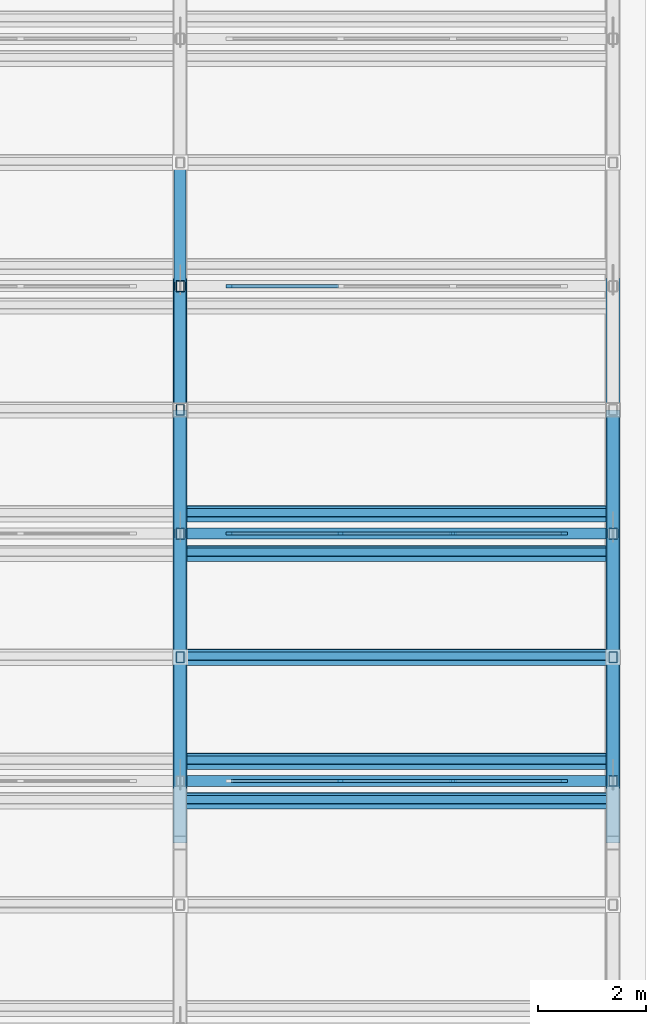
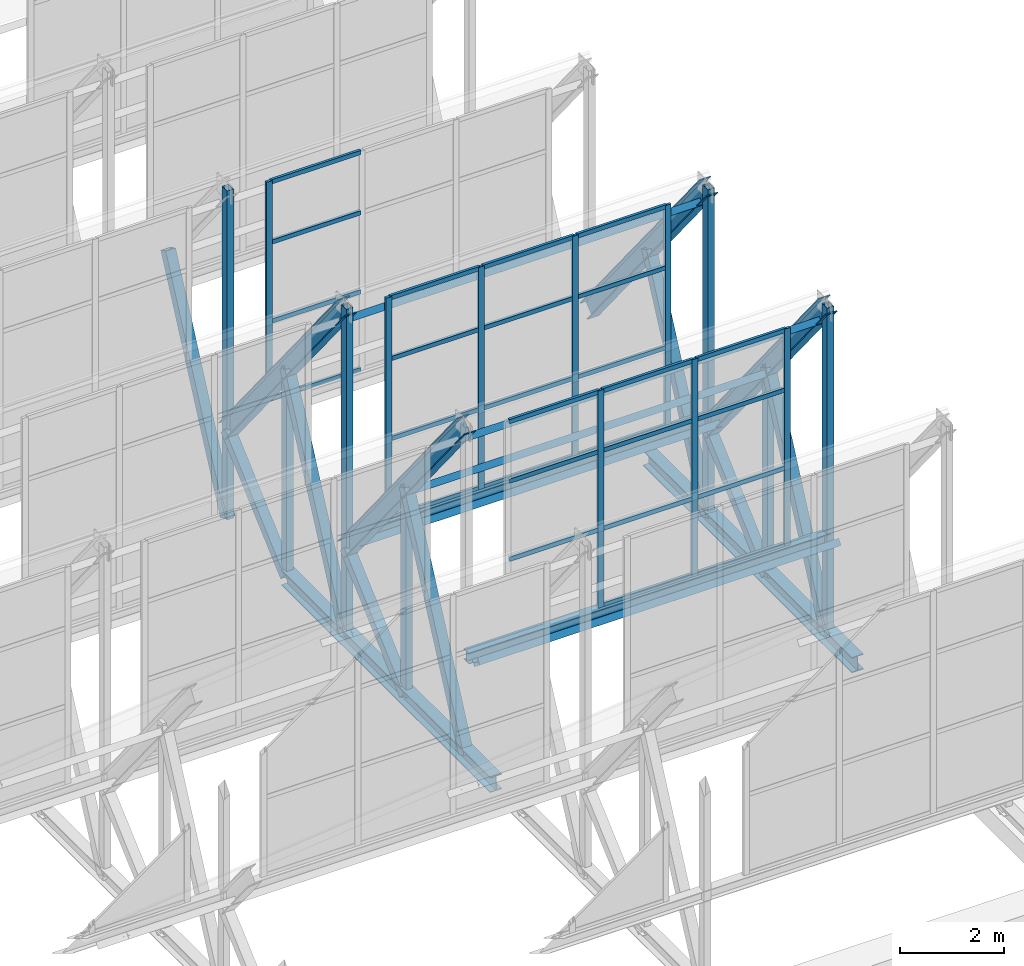
# One storey, part 20 of 34: 59 members, 4 beams, 3 elements without a shape of their own.
"""IFC4 building model written with IfcOpenShell, lengths in metres."""

from ifc_helpers import new_model, si_unit, direction, frame, origin, origin_2d, place, context, subcontext, project, spatial, rectangle, hollow_rectangle, i_section, extrude, material, layer, layer_set, material_profile, profile_set, type_object, element, aggregate, save


model = new_model("IFC4")

# Units and contexts
model_context = context("Model", 3, precision=1e-05, world=origin(), true_north=direction((0.0, 1.0)))
body_context = subcontext(model_context, "Body", "Model", "MODEL_VIEW")
ifc_project = project(units=[si_unit("LENGTHUNIT", "METRE"), si_unit("AREAUNIT", "SQUARE_METRE"), si_unit("VOLUMEUNIT", "CUBIC_METRE"), si_unit("PLANEANGLEUNIT", "RADIAN"), si_unit("MASSUNIT", "GRAM", prefix="KILO")], contexts=[model_context])

# Site, building, storey
site_placement = place(None, origin())
site = spatial("IfcSite", under=ifc_project, at=site_placement, CompositionType="ELEMENT")
building_placement = place(site_placement, origin())
building = spatial("IfcBuilding", under=site, at=building_placement, Name="Qorikala Patio Media Centre", CompositionType="ELEMENT")
storey_placement = place(building_placement, frame((0.0, 0.0, 32.699951171875)))
storey = spatial("IfcBuildingStorey", under=building, at=storey_placement, Name="RF", CompositionType="ELEMENT", Elevation=32.699951171875)

# Members
ifc_material_1 = material(Name="Steel S355", Category="steel")
ifc_material_profile_1 = material_profile(ifc_material_1, hollow_rectangle(XDim=0.219970703125, YDim=0.219970703125, WallThickness=0.010009765625, at=origin_2d()), Name="HSS220X220X10")
ifc_profile_set_1 = profile_set([ifc_material_profile_1], Name="Steel S355")
member_type_1 = type_object("IfcMemberType", Name="BRACE-HSS220", PredefinedType="BRACE", material=ifc_profile_set_1)
member_1_placement = place(storey_placement, frame((35.0, 12.142822265625, 0.35009765625), z_axis=(0.0, 0.424545396895, 0.90540665227), x_axis=(-1.0, 0.0, 0.0)))
element("IfcMember", 1, at=member_1_placement, inside=storey, type_object=member_type_1, Name="SAW-V1 Truss 5 Bay 3 Web Diagonal 1", PredefinedType="BRACE", context=body_context, shape_type="SweptSolid", body=[
    extrude(hollow_rectangle(XDim=0.219970703125, YDim=0.219970703125, WallThickness=0.010009765625, at=origin_2d()), origin(), (0.0, 0.0, 1.0), 5.38427734375),
])
member_2_placement = place(storey_placement, frame((35.0, 14.4287109375, 0.35009765625), z_axis=(0.0, 0.744431778243, 0.667698530432), x_axis=(-1.0, 0.0, 0.0)))
element("IfcMember", 2, at=member_2_placement, inside=storey, type_object=member_type_1, Name="SAW-V1 Truss 5 Bay 3 Web Diagonal 2", PredefinedType="BRACE", context=body_context, shape_type="SweptSolid", body=[
    extrude(hollow_rectangle(XDim=0.219970703125, YDim=0.219970703125, WallThickness=0.010009765625, at=origin_2d()), origin(), (0.0, 0.0, 1.0), 3.0703125),
])
member_3_placement = place(storey_placement, frame((35.0, 16.71435546875, 0.35009765625), z_axis=(0.0, 0.424508225487, 0.905424081022), x_axis=(-1.0, 0.0, 0.0)))
element("IfcMember", 3, at=member_3_placement, inside=storey, type_object=member_type_1, Name="SAW-V1 Truss 5 Bay 4 Web Diagonal 1", PredefinedType="BRACE", context=body_context, shape_type="SweptSolid", body=[
    extrude(hollow_rectangle(XDim=0.219970703125, YDim=0.219970703125, WallThickness=0.010009765625, at=origin_2d()), origin(), (0.0, 0.0, 1.0), 5.38427734375),
])
member_4_placement = place(storey_placement, frame((35.0, 19.0, 0.35009765625), z_axis=(0.0, 0.744431778243, 0.667698530432), x_axis=(-1.0, 0.0, 0.0)))
element("IfcMember", 4, at=member_4_placement, inside=storey, type_object=member_type_1, Name="SAW-V1 Truss 5 Bay 4 Web Diagonal 2", PredefinedType="BRACE", context=body_context, shape_type="SweptSolid", body=[
    extrude(hollow_rectangle(XDim=0.219970703125, YDim=0.219970703125, WallThickness=0.010009765625, at=origin_2d()), origin(), (0.0, 0.0, 1.0), 3.0703125),
])
for number, where, z_axis, x_axis, name in (
    (5, (35.0, 21.28564453125, 0.35009765625), (0.0, 0.424508225487, 0.905424081022), (-1.0, 0.0, 0.0), "SAW-V1 Truss 5 Bay 5 Web Diagonal 1"),
    (6, (43.0, 12.142822265625, 0.35009765625), (0.0, 0.424545396895, 0.90540665227), (-1.0, 0.0, 0.0), "SAW-V1 Truss 6 Bay 3 Web Diagonal 1"),
):
    element("IfcMember", number, at=place(storey_placement, frame(where, z_axis=z_axis, x_axis=x_axis)), inside=storey, type_object=member_type_1, Name=name, PredefinedType="BRACE", context=body_context, shape_type="SweptSolid", body=[
        extrude(hollow_rectangle(XDim=0.219970703125, YDim=0.219970703125, WallThickness=0.010009765625, at=origin_2d()), origin(), (0.0, 0.0, 1.0), 5.38427734375),
    ])
member_5_placement = place(storey_placement, frame((43.0, 14.4287109375, 0.35009765625), z_axis=(0.0, 0.744431778243, 0.667698530432), x_axis=(-1.0, 0.0, 0.0)))
element("IfcMember", 7, at=member_5_placement, inside=storey, type_object=member_type_1, Name="SAW-V1 Truss 6 Bay 3 Web Diagonal 2", PredefinedType="BRACE", context=body_context, shape_type="SweptSolid", body=[
    extrude(hollow_rectangle(XDim=0.219970703125, YDim=0.219970703125, WallThickness=0.010009765625, at=origin_2d()), origin(), (0.0, 0.0, 1.0), 3.0703125),
])
member_6_placement = place(storey_placement, frame((43.0, 16.71435546875, 0.35009765625), z_axis=(0.0, 0.424508225487, 0.905424081022), x_axis=(-1.0, 0.0, 0.0)))
element("IfcMember", 8, at=member_6_placement, inside=storey, type_object=member_type_1, Name="SAW-V1 Truss 6 Bay 4 Web Diagonal 1", PredefinedType="BRACE", context=body_context, shape_type="SweptSolid", body=[
    extrude(hollow_rectangle(XDim=0.219970703125, YDim=0.219970703125, WallThickness=0.010009765625, at=origin_2d()), origin(), (0.0, 0.0, 1.0), 5.38427734375),
])
ifc_material_profile_2 = material_profile(ifc_material_1, i_section(OverallWidth=0.257080078125, OverallDepth=0.363037109375, WebThickness=0.012939453125, FlangeThickness=0.021728515625, at=origin_2d()), Name="W360X122")
ifc_profile_set_2 = profile_set([ifc_material_profile_2], Name="Steel S355")
member_type_2 = type_object("IfcMemberType", Name="CHORD-W360X122", PredefinedType="CHORD", material=ifc_profile_set_2)
member_7_placement = place(storey_placement, frame((35.0, 12.142822265625, 8.050048828125), z_axis=(0.0, 0.629015570493, -0.777392701327), x_axis=(-1.0, 0.0, 0.0)))
element("IfcMember", 9, at=member_7_placement, inside=storey, type_object=member_type_2, Name="SAW-V1 Truss 5 Bay 3 Sloped Top Chord", PredefinedType="CHORD", context=body_context, shape_type="SweptSolid", body=[
    extrude(i_section(OverallWidth=0.257080078125, OverallDepth=0.363037109375, WebThickness=0.012939453125, FlangeThickness=0.021728515625, at=origin_2d()), origin(), (0.0, 0.0, 1.0), 7.267822265625),
])
member_8_placement = place(storey_placement, frame((35.0, 16.71435546875, 8.050048828125), z_axis=(0.0, 0.628995268707, -0.777409127773), x_axis=(-1.0, 0.0, 0.0)))
element("IfcMember", 10, at=member_8_placement, inside=storey, type_object=member_type_2, Name="SAW-V1 Truss 5 Bay 4 Sloped Top Chord", PredefinedType="CHORD", context=body_context, shape_type="SweptSolid", body=[
    extrude(i_section(OverallWidth=0.257080078125, OverallDepth=0.363037109375, WebThickness=0.012939453125, FlangeThickness=0.021728515625, at=origin_2d()), origin(), (0.0, 0.0, 1.0), 7.267578125),
])
member_9_placement = place(storey_placement, frame((43.0, 12.142822265625, 8.050048828125), z_axis=(0.0, 0.629015570493, -0.777392701327), x_axis=(-1.0, 0.0, 0.0)))
element("IfcMember", 11, at=member_9_placement, inside=storey, type_object=member_type_2, Name="SAW-V1 Truss 6 Bay 3 Sloped Top Chord", PredefinedType="CHORD", context=body_context, shape_type="SweptSolid", body=[
    extrude(i_section(OverallWidth=0.257080078125, OverallDepth=0.363037109375, WebThickness=0.012939453125, FlangeThickness=0.021728515625, at=origin_2d()), origin(), (0.0, 0.0, 1.0), 7.267822265625),
])
member_10_placement = place(storey_placement, frame((43.0, 16.71435546875, 8.050048828125), z_axis=(0.0, 0.628995268707, -0.777409127773), x_axis=(-1.0, 0.0, 0.0)))
element("IfcMember", 12, at=member_10_placement, inside=storey, type_object=member_type_2, Name="SAW-V1 Truss 6 Bay 4 Sloped Top Chord", PredefinedType="CHORD", context=body_context, shape_type="SweptSolid", body=[
    extrude(i_section(OverallWidth=0.257080078125, OverallDepth=0.363037109375, WebThickness=0.012939453125, FlangeThickness=0.021728515625, at=origin_2d()), origin(), (0.0, 0.0, 1.0), 7.267578125),
])

# Curtain wall, members
ifc_material_2 = material(Name="Bronze Anodised Aluminium and Low-E Glass", Category="aluminium")
ifc_layer_1 = layer(ifc_material_2, 0.159912109375)
ifc_layer_set_1 = layer_set([ifc_layer_1], Name="Bronze Anodised Aluminium and Low-E Glass")
curtain_wall_type_1 = type_object("IfcCurtainWallType", Name="CW-SAW-624X508", PredefinedType="USERDEFINED", material=ifc_layer_set_1)
curtain_wall_1_placement = place(storey_placement, origin())
curtain_wall_1 = element("IfcCurtainWall", 13, at=curtain_wall_1_placement, inside=storey, type_object=curtain_wall_type_1, Name="RF Sawtooth Glazing 121", ObjectType="SAWTOOTH GLAZING", PredefinedType="USERDEFINED")
ifc_material_3 = material(Name="Bronze Anodised Aluminium", Category="aluminium")
ifc_material_profile_3 = material_profile(ifc_material_3, rectangle(XDim=0.06005859375, YDim=0.1298828125, at=origin_2d()), Name="ALU MULLION 60x130")
ifc_profile_set_3 = profile_set([ifc_material_profile_3], Name="Bronze Anodised Aluminium")
member_type_3 = type_object("IfcMemberType", Name="CWM-60X130", PredefinedType="MULLION", material=ifc_profile_set_3)
member_11_placement = place(storey_placement, frame((37.9599609375, 12.142822265625, 2.75), z_axis=(0.0, 0.0, 1.0), x_axis=(0.0, 1.0, 0.0)))
member_11 = element("IfcMember", 14, at=member_11_placement, type_object=member_type_3, Name="CWS624508 mullion 2", PredefinedType="MULLION", context=body_context, shape_type="SweptSolid", body=[
    extrude(rectangle(XDim=0.06005859375, YDim=0.1298828125, at=origin_2d()), origin(), (0.0, 0.0, 1.0), 5.080078125),
])
member_12_placement = place(storey_placement, frame((40.0400390625, 12.142822265625, 2.75), z_axis=(0.0, 0.0, 1.0), x_axis=(0.0, 1.0, 0.0)))
member_12 = element("IfcMember", 15, at=member_12_placement, type_object=member_type_3, Name="CWS624508 mullion 3", PredefinedType="MULLION", context=body_context, shape_type="SweptSolid", body=[
    extrude(rectangle(XDim=0.06005859375, YDim=0.1298828125, at=origin_2d()), origin(), (0.0, 0.0, 1.0), 5.080078125),
])
member_13_placement = place(storey_placement, frame((42.090087890625, 12.142822265625, 2.75), z_axis=(0.0, 0.0, 1.0), x_axis=(0.0, 1.0, 0.0)))
member_13 = element("IfcMember", 16, at=member_13_placement, type_object=member_type_3, Name="CWS624508 mullion 4", PredefinedType="MULLION", context=body_context, shape_type="SweptSolid", body=[
    extrude(rectangle(XDim=0.06005859375, YDim=0.1298828125, at=origin_2d()), origin(), (0.0, 0.0, 1.0), 5.080078125),
])

ifc_layer_2 = layer(ifc_material_2, 0.159912109375)
ifc_layer_set_2 = layer_set([ifc_layer_2], Name="Bronze Anodised Aluminium and Low-E Glass")
curtain_wall_type_2 = type_object("IfcCurtainWallType", Name="CW-SAW-624X520", PredefinedType="USERDEFINED", material=ifc_layer_set_2)
curtain_wall_2_placement = place(storey_placement, origin())
curtain_wall_2 = element("IfcCurtainWall", 17, at=curtain_wall_2_placement, inside=storey, type_object=curtain_wall_type_2, Name="RF Sawtooth Glazing 126", ObjectType="SAWTOOTH GLAZING", PredefinedType="USERDEFINED")
member_14_placement = place(storey_placement, frame((35.909912109375, 16.71435546875, 2.75), z_axis=(0.0, 0.0, 1.0), x_axis=(0.0, 1.0, 0.0)))
member_14 = element("IfcMember", 18, at=member_14_placement, type_object=member_type_3, Name="CWS624520 mullion 1", PredefinedType="MULLION", context=body_context, shape_type="SweptSolid", body=[
    extrude(rectangle(XDim=0.06005859375, YDim=0.1298828125, at=origin_2d()), origin(), (0.0, 0.0, 1.0), 5.199951171875),
])
member_15_placement = place(storey_placement, frame((37.9599609375, 16.71435546875, 2.75), z_axis=(0.0, 0.0, 1.0), x_axis=(0.0, 1.0, 0.0)))
member_15 = element("IfcMember", 19, at=member_15_placement, type_object=member_type_3, Name="CWS624520 mullion 2", PredefinedType="MULLION", context=body_context, shape_type="SweptSolid", body=[
    extrude(rectangle(XDim=0.06005859375, YDim=0.1298828125, at=origin_2d()), origin(), (0.0, 0.0, 1.0), 5.199951171875),
])
member_16_placement = place(storey_placement, frame((40.0400390625, 16.71435546875, 2.75), z_axis=(0.0, 0.0, 1.0), x_axis=(0.0, 1.0, 0.0)))
member_16 = element("IfcMember", 20, at=member_16_placement, type_object=member_type_3, Name="CWS624520 mullion 3", PredefinedType="MULLION", context=body_context, shape_type="SweptSolid", body=[
    extrude(rectangle(XDim=0.06005859375, YDim=0.1298828125, at=origin_2d()), origin(), (0.0, 0.0, 1.0), 5.199951171875),
])
member_17_placement = place(storey_placement, frame((42.090087890625, 16.71435546875, 2.75), z_axis=(0.0, 0.0, 1.0), x_axis=(0.0, 1.0, 0.0)))
member_17 = element("IfcMember", 21, at=member_17_placement, type_object=member_type_3, Name="CWS624520 mullion 4", PredefinedType="MULLION", context=body_context, shape_type="SweptSolid", body=[
    extrude(rectangle(XDim=0.06005859375, YDim=0.1298828125, at=origin_2d()), origin(), (0.0, 0.0, 1.0), 5.199951171875),
])

# Curtain wall, member
ifc_layer_3 = layer(ifc_material_2, 0.159912109375)
ifc_layer_set_3 = layer_set([ifc_layer_3], Name="Bronze Anodised Aluminium and Low-E Glass")
curtain_wall_type_3 = type_object("IfcCurtainWallType", Name="CW-SAW-624X514", PredefinedType="USERDEFINED", material=ifc_layer_set_3)
curtain_wall_3_placement = place(storey_placement, origin())
curtain_wall_3 = element("IfcCurtainWall", 22, at=curtain_wall_3_placement, inside=storey, type_object=curtain_wall_type_3, Name="RF Sawtooth Glazing 131", ObjectType="SAWTOOTH GLAZING", PredefinedType="USERDEFINED")
member_18_placement = place(storey_placement, frame((35.909912109375, 21.28564453125, 2.75), z_axis=(0.0, 0.0, 1.0), x_axis=(0.0, 1.0, 0.0)))
member_18 = element("IfcMember", 23, at=member_18_placement, type_object=member_type_3, Name="CWS624514 mullion 1", PredefinedType="MULLION", context=body_context, shape_type="SweptSolid", body=[
    extrude(rectangle(XDim=0.06005859375, YDim=0.1298828125, at=origin_2d()), origin(), (0.0, 0.0, 1.0), 5.14013671875),
])

# Member
ifc_material_profile_4 = material_profile(ifc_material_3, rectangle(XDim=0.06005859375, YDim=0.10009765625, at=origin_2d()), Name="ALU TRANSOM 60x100")
ifc_profile_set_4 = profile_set([ifc_material_profile_4], Name="Bronze Anodised Aluminium")
member_type_4 = type_object("IfcMemberType", Name="CWT-60X100", PredefinedType="USERDEFINED", material=ifc_profile_set_4)
member_19_placement = place(storey_placement, frame((35.93994140625, 12.142822265625, 4.578857421875), z_axis=(1.0, 0.0, 0.0), x_axis=(0.0, 1.0, 0.0)))
member_19 = element("IfcMember", 24, at=member_19_placement, type_object=member_type_4, Name="CWS624508 transom 1.2", ObjectType="TRANSOM", PredefinedType="USERDEFINED", context=body_context, shape_type="SweptSolid", body=[
    extrude(rectangle(XDim=0.06005859375, YDim=0.10009765625, at=origin_2d()), origin(), (0.0, 0.0, 1.0), 1.989990234375),
])

member_20_placement = place(storey_placement, frame((35.93994140625, 12.142822265625, 6.40771484375), z_axis=(1.0, 0.0, 0.0), x_axis=(0.0, 1.0, 0.0)))
member_20 = element("IfcMember", 25, at=member_20_placement, type_object=member_type_4, Name="CWS624508 transom 1.3", ObjectType="TRANSOM", PredefinedType="USERDEFINED", context=body_context, shape_type="SweptSolid", body=[
    extrude(rectangle(XDim=0.06005859375, YDim=0.10009765625, at=origin_2d()), origin(), (0.0, 0.0, 1.0), 1.989990234375),
])

member_21_placement = place(storey_placement, frame((35.93994140625, 12.142822265625, 7.800048828125), z_axis=(1.0, 0.0, 0.0), x_axis=(0.0, 1.0, 0.0)))
member_21 = element("IfcMember", 26, at=member_21_placement, type_object=member_type_4, Name="CWS624508 transom 1.4", ObjectType="TRANSOM", PredefinedType="USERDEFINED", context=body_context, shape_type="SweptSolid", body=[
    extrude(rectangle(XDim=0.06005859375, YDim=0.10009765625, at=origin_2d()), origin(), (0.0, 0.0, 1.0), 1.989990234375),
])

member_22_placement = place(storey_placement, frame((37.989990234375, 12.142822265625, 2.780029296875), z_axis=(1.0, 0.0, 0.0), x_axis=(0.0, 1.0, 0.0)))
member_22 = element("IfcMember", 27, at=member_22_placement, type_object=member_type_4, Name="CWS624508 transom 2.1", ObjectType="TRANSOM", PredefinedType="USERDEFINED", context=body_context, shape_type="SweptSolid", body=[
    extrude(rectangle(XDim=0.06005859375, YDim=0.10009765625, at=origin_2d()), origin(), (0.0, 0.0, 1.0), 2.02001953125),
])

member_23_placement = place(storey_placement, frame((37.989990234375, 12.142822265625, 4.578857421875), z_axis=(1.0, 0.0, 0.0), x_axis=(0.0, 1.0, 0.0)))
member_23 = element("IfcMember", 28, at=member_23_placement, type_object=member_type_4, Name="CWS624508 transom 2.2", ObjectType="TRANSOM", PredefinedType="USERDEFINED", context=body_context, shape_type="SweptSolid", body=[
    extrude(rectangle(XDim=0.06005859375, YDim=0.10009765625, at=origin_2d()), origin(), (0.0, 0.0, 1.0), 2.02001953125),
])

member_24_placement = place(storey_placement, frame((37.989990234375, 12.142822265625, 6.40771484375), z_axis=(1.0, 0.0, 0.0), x_axis=(0.0, 1.0, 0.0)))
member_24 = element("IfcMember", 29, at=member_24_placement, type_object=member_type_4, Name="CWS624508 transom 2.3", ObjectType="TRANSOM", PredefinedType="USERDEFINED", context=body_context, shape_type="SweptSolid", body=[
    extrude(rectangle(XDim=0.06005859375, YDim=0.10009765625, at=origin_2d()), origin(), (0.0, 0.0, 1.0), 2.02001953125),
])

member_25_placement = place(storey_placement, frame((37.989990234375, 12.142822265625, 7.800048828125), z_axis=(1.0, 0.0, 0.0), x_axis=(0.0, 1.0, 0.0)))
member_25 = element("IfcMember", 30, at=member_25_placement, type_object=member_type_4, Name="CWS624508 transom 2.4", ObjectType="TRANSOM", PredefinedType="USERDEFINED", context=body_context, shape_type="SweptSolid", body=[
    extrude(rectangle(XDim=0.06005859375, YDim=0.10009765625, at=origin_2d()), origin(), (0.0, 0.0, 1.0), 2.02001953125),
])

member_26_placement = place(storey_placement, frame((40.070068359375, 12.142822265625, 2.780029296875), z_axis=(1.0, 0.0, 0.0), x_axis=(0.0, 1.0, 0.0)))
member_26 = element("IfcMember", 31, at=member_26_placement, type_object=member_type_4, Name="CWS624508 transom 3.1", ObjectType="TRANSOM", PredefinedType="USERDEFINED", context=body_context, shape_type="SweptSolid", body=[
    extrude(rectangle(XDim=0.06005859375, YDim=0.10009765625, at=origin_2d()), origin(), (0.0, 0.0, 1.0), 1.989990234375),
])

member_27_placement = place(storey_placement, frame((40.070068359375, 12.142822265625, 4.578857421875), z_axis=(1.0, 0.0, 0.0), x_axis=(0.0, 1.0, 0.0)))
member_27 = element("IfcMember", 32, at=member_27_placement, type_object=member_type_4, Name="CWS624508 transom 3.2", ObjectType="TRANSOM", PredefinedType="USERDEFINED", context=body_context, shape_type="SweptSolid", body=[
    extrude(rectangle(XDim=0.06005859375, YDim=0.10009765625, at=origin_2d()), origin(), (0.0, 0.0, 1.0), 1.989990234375),
])

member_28_placement = place(storey_placement, frame((40.070068359375, 12.142822265625, 6.40771484375), z_axis=(1.0, 0.0, 0.0), x_axis=(0.0, 1.0, 0.0)))
member_28 = element("IfcMember", 33, at=member_28_placement, type_object=member_type_4, Name="CWS624508 transom 3.3", ObjectType="TRANSOM", PredefinedType="USERDEFINED", context=body_context, shape_type="SweptSolid", body=[
    extrude(rectangle(XDim=0.06005859375, YDim=0.10009765625, at=origin_2d()), origin(), (0.0, 0.0, 1.0), 1.989990234375),
])

member_29_placement = place(storey_placement, frame((40.070068359375, 12.142822265625, 7.800048828125), z_axis=(1.0, 0.0, 0.0), x_axis=(0.0, 1.0, 0.0)))
member_29 = element("IfcMember", 34, at=member_29_placement, type_object=member_type_4, Name="CWS624508 transom 3.4", ObjectType="TRANSOM", PredefinedType="USERDEFINED", context=body_context, shape_type="SweptSolid", body=[
    extrude(rectangle(XDim=0.06005859375, YDim=0.10009765625, at=origin_2d()), origin(), (0.0, 0.0, 1.0), 1.989990234375),
])

aggregate(curtain_wall_1, [member_11, member_12, member_13, member_19, member_20, member_21, member_22, member_23, member_24, member_25, member_26, member_27, member_28, member_29])

member_30_placement = place(storey_placement, frame((35.93994140625, 16.71435546875, 2.780029296875), z_axis=(1.0, 0.0, 0.0), x_axis=(0.0, 1.0, 0.0)))
member_30 = element("IfcMember", 35, at=member_30_placement, type_object=member_type_4, Name="CWS624520 transom 1.1", ObjectType="TRANSOM", PredefinedType="USERDEFINED", context=body_context, shape_type="SweptSolid", body=[
    extrude(rectangle(XDim=0.06005859375, YDim=0.10009765625, at=origin_2d()), origin(), (0.0, 0.0, 1.0), 1.989990234375),
])

member_31_placement = place(storey_placement, frame((35.93994140625, 16.71435546875, 4.6220703125), z_axis=(1.0, 0.0, 0.0), x_axis=(0.0, 1.0, 0.0)))
member_31 = element("IfcMember", 36, at=member_31_placement, type_object=member_type_4, Name="CWS624520 transom 1.2", ObjectType="TRANSOM", PredefinedType="USERDEFINED", context=body_context, shape_type="SweptSolid", body=[
    extrude(rectangle(XDim=0.06005859375, YDim=0.10009765625, at=origin_2d()), origin(), (0.0, 0.0, 1.0), 1.989990234375),
])

member_32_placement = place(storey_placement, frame((35.93994140625, 16.71435546875, 6.494140625), z_axis=(1.0, 0.0, 0.0), x_axis=(0.0, 1.0, 0.0)))
member_32 = element("IfcMember", 37, at=member_32_placement, type_object=member_type_4, Name="CWS624520 transom 1.3", ObjectType="TRANSOM", PredefinedType="USERDEFINED", context=body_context, shape_type="SweptSolid", body=[
    extrude(rectangle(XDim=0.06005859375, YDim=0.10009765625, at=origin_2d()), origin(), (0.0, 0.0, 1.0), 1.989990234375),
])

member_33_placement = place(storey_placement, frame((35.93994140625, 16.71435546875, 7.920166015625), z_axis=(1.0, 0.0, 0.0), x_axis=(0.0, 1.0, 0.0)))
member_33 = element("IfcMember", 38, at=member_33_placement, type_object=member_type_4, Name="CWS624520 transom 1.4", ObjectType="TRANSOM", PredefinedType="USERDEFINED", context=body_context, shape_type="SweptSolid", body=[
    extrude(rectangle(XDim=0.06005859375, YDim=0.10009765625, at=origin_2d()), origin(), (0.0, 0.0, 1.0), 1.989990234375),
])

member_34_placement = place(storey_placement, frame((37.989990234375, 16.71435546875, 2.780029296875), z_axis=(1.0, 0.0, 0.0), x_axis=(0.0, 1.0, 0.0)))
member_34 = element("IfcMember", 39, at=member_34_placement, type_object=member_type_4, Name="CWS624520 transom 2.1", ObjectType="TRANSOM", PredefinedType="USERDEFINED", context=body_context, shape_type="SweptSolid", body=[
    extrude(rectangle(XDim=0.06005859375, YDim=0.10009765625, at=origin_2d()), origin(), (0.0, 0.0, 1.0), 2.02001953125),
])

member_35_placement = place(storey_placement, frame((37.989990234375, 16.71435546875, 4.6220703125), z_axis=(1.0, 0.0, 0.0), x_axis=(0.0, 1.0, 0.0)))
member_35 = element("IfcMember", 40, at=member_35_placement, type_object=member_type_4, Name="CWS624520 transom 2.2", ObjectType="TRANSOM", PredefinedType="USERDEFINED", context=body_context, shape_type="SweptSolid", body=[
    extrude(rectangle(XDim=0.06005859375, YDim=0.10009765625, at=origin_2d()), origin(), (0.0, 0.0, 1.0), 2.02001953125),
])

member_36_placement = place(storey_placement, frame((37.989990234375, 16.71435546875, 6.494140625), z_axis=(1.0, 0.0, 0.0), x_axis=(0.0, 1.0, 0.0)))
member_36 = element("IfcMember", 41, at=member_36_placement, type_object=member_type_4, Name="CWS624520 transom 2.3", ObjectType="TRANSOM", PredefinedType="USERDEFINED", context=body_context, shape_type="SweptSolid", body=[
    extrude(rectangle(XDim=0.06005859375, YDim=0.10009765625, at=origin_2d()), origin(), (0.0, 0.0, 1.0), 2.02001953125),
])

member_37_placement = place(storey_placement, frame((37.989990234375, 16.71435546875, 7.920166015625), z_axis=(1.0, 0.0, 0.0), x_axis=(0.0, 1.0, 0.0)))
member_37 = element("IfcMember", 42, at=member_37_placement, type_object=member_type_4, Name="CWS624520 transom 2.4", ObjectType="TRANSOM", PredefinedType="USERDEFINED", context=body_context, shape_type="SweptSolid", body=[
    extrude(rectangle(XDim=0.06005859375, YDim=0.10009765625, at=origin_2d()), origin(), (0.0, 0.0, 1.0), 2.02001953125),
])

member_38_placement = place(storey_placement, frame((40.070068359375, 16.71435546875, 2.780029296875), z_axis=(1.0, 0.0, 0.0), x_axis=(0.0, 1.0, 0.0)))
member_38 = element("IfcMember", 43, at=member_38_placement, type_object=member_type_4, Name="CWS624520 transom 3.1", ObjectType="TRANSOM", PredefinedType="USERDEFINED", context=body_context, shape_type="SweptSolid", body=[
    extrude(rectangle(XDim=0.06005859375, YDim=0.10009765625, at=origin_2d()), origin(), (0.0, 0.0, 1.0), 1.989990234375),
])

member_39_placement = place(storey_placement, frame((40.070068359375, 16.71435546875, 4.6220703125), z_axis=(1.0, 0.0, 0.0), x_axis=(0.0, 1.0, 0.0)))
member_39 = element("IfcMember", 44, at=member_39_placement, type_object=member_type_4, Name="CWS624520 transom 3.2", ObjectType="TRANSOM", PredefinedType="USERDEFINED", context=body_context, shape_type="SweptSolid", body=[
    extrude(rectangle(XDim=0.06005859375, YDim=0.10009765625, at=origin_2d()), origin(), (0.0, 0.0, 1.0), 1.989990234375),
])

member_40_placement = place(storey_placement, frame((40.070068359375, 16.71435546875, 6.494140625), z_axis=(1.0, 0.0, 0.0), x_axis=(0.0, 1.0, 0.0)))
member_40 = element("IfcMember", 45, at=member_40_placement, type_object=member_type_4, Name="CWS624520 transom 3.3", ObjectType="TRANSOM", PredefinedType="USERDEFINED", context=body_context, shape_type="SweptSolid", body=[
    extrude(rectangle(XDim=0.06005859375, YDim=0.10009765625, at=origin_2d()), origin(), (0.0, 0.0, 1.0), 1.989990234375),
])

member_41_placement = place(storey_placement, frame((40.070068359375, 16.71435546875, 7.920166015625), z_axis=(1.0, 0.0, 0.0), x_axis=(0.0, 1.0, 0.0)))
member_41 = element("IfcMember", 46, at=member_41_placement, type_object=member_type_4, Name="CWS624520 transom 3.4", ObjectType="TRANSOM", PredefinedType="USERDEFINED", context=body_context, shape_type="SweptSolid", body=[
    extrude(rectangle(XDim=0.06005859375, YDim=0.10009765625, at=origin_2d()), origin(), (0.0, 0.0, 1.0), 1.989990234375),
])

aggregate(curtain_wall_2, [member_14, member_15, member_16, member_17, member_30, member_31, member_32, member_33, member_34, member_35, member_36, member_37, member_38, member_39, member_40, member_41])

member_42_placement = place(storey_placement, frame((35.93994140625, 21.28564453125, 2.780029296875), z_axis=(1.0, 0.0, 0.0), x_axis=(0.0, 1.0, 0.0)))
member_42 = element("IfcMember", 47, at=member_42_placement, type_object=member_type_4, Name="CWS624514 transom 1.1", ObjectType="TRANSOM", PredefinedType="USERDEFINED", context=body_context, shape_type="SweptSolid", body=[
    extrude(rectangle(XDim=0.06005859375, YDim=0.10009765625, at=origin_2d()), origin(), (0.0, 0.0, 1.0), 1.989990234375),
])

member_43_placement = place(storey_placement, frame((35.93994140625, 21.28564453125, 4.600341796875), z_axis=(1.0, 0.0, 0.0), x_axis=(0.0, 1.0, 0.0)))
member_43 = element("IfcMember", 48, at=member_43_placement, type_object=member_type_4, Name="CWS624514 transom 1.2", ObjectType="TRANSOM", PredefinedType="USERDEFINED", context=body_context, shape_type="SweptSolid", body=[
    extrude(rectangle(XDim=0.06005859375, YDim=0.10009765625, at=origin_2d()), origin(), (0.0, 0.0, 1.0), 1.989990234375),
])

member_44_placement = place(storey_placement, frame((35.93994140625, 21.28564453125, 6.450927734375), z_axis=(1.0, 0.0, 0.0), x_axis=(0.0, 1.0, 0.0)))
member_44 = element("IfcMember", 49, at=member_44_placement, type_object=member_type_4, Name="CWS624514 transom 1.3", ObjectType="TRANSOM", PredefinedType="USERDEFINED", context=body_context, shape_type="SweptSolid", body=[
    extrude(rectangle(XDim=0.06005859375, YDim=0.10009765625, at=origin_2d()), origin(), (0.0, 0.0, 1.0), 1.989990234375),
])

member_45_placement = place(storey_placement, frame((35.93994140625, 21.28564453125, 7.860107421875), z_axis=(1.0, 0.0, 0.0), x_axis=(0.0, 1.0, 0.0)))
member_45 = element("IfcMember", 50, at=member_45_placement, type_object=member_type_4, Name="CWS624514 transom 1.4", ObjectType="TRANSOM", PredefinedType="USERDEFINED", context=body_context, shape_type="SweptSolid", body=[
    extrude(rectangle(XDim=0.06005859375, YDim=0.10009765625, at=origin_2d()), origin(), (0.0, 0.0, 1.0), 1.989990234375),
])

aggregate(curtain_wall_3, [member_18, member_42, member_43, member_44, member_45])

# Members
ifc_material_profile_5 = material_profile(ifc_material_1, i_section(OverallWidth=0.14794921875, OverallDepth=0.26611328125, WebThickness=0.007568359375, FlangeThickness=0.012939453125, at=origin_2d()), Name="W250X45")
ifc_profile_set_5 = profile_set([ifc_material_profile_5], Name="Steel S355")
member_type_5 = type_object("IfcMemberType", Name="PURLIN-W250X45", PredefinedType="PURLIN", material=ifc_profile_set_5)
for number, where, z_axis, x_axis, name in (
    (51, (35.0, 11.777099609375, 2.704345703125), (1.0, 0.0, 0.0), (0.0, 0.62899480571, 0.777409502379), "SAW-V1 Bay 2 Roof Purlin"),
    (52, (35.0, 12.508544921875, 7.450439453125), (1.0, 0.0, 0.0), (0.0, 0.62899480571, 0.777409502379), "SAW-V1 Bay 3 Roof Purlin"),
    (53, (35.0, 14.4287109375, 5.077392578125), (1.0, 0.0, 0.0), (0.0, 0.62899480571, 0.777409502379), "SAW-V1 Bay 3 Roof Purlin"),
    (54, (35.0, 16.3486328125, 2.704345703125), (1.0, 0.0, 0.0), (0.0, 0.62899480571, 0.777409502379), "SAW-V1 Bay 3 Roof Purlin"),
    (55, (35.0, 17.080078125, 7.450439453125), (1.0, 0.0, 0.0), (0.0, 0.62899480571, 0.777409502379), "SAW-V1 Bay 4 Roof Purlin"),
):
    element("IfcMember", number, at=place(storey_placement, frame(where, z_axis=z_axis, x_axis=x_axis)), inside=storey, type_object=member_type_5, Name=name, PredefinedType="PURLIN", context=body_context, shape_type="SweptSolid", body=[
        extrude(i_section(OverallWidth=0.14794921875, OverallDepth=0.26611328125, WebThickness=0.007568359375, FlangeThickness=0.012939453125, at=origin_2d()), origin(), (0.0, 0.0, 1.0), 8.0),
    ])

# Beams
ifc_material_profile_6 = material_profile(ifc_material_1, i_section(OverallWidth=0.202880859375, OverallDepth=0.251953125, WebThickness=0.008056640625, FlangeThickness=0.013427734375, at=origin_2d()), Name="W250X58")
ifc_profile_set_6 = profile_set([ifc_material_profile_6], Name="Steel S355")
beam_type_1 = type_object("IfcBeamType", Name="SBM-W250X58", PredefinedType="BEAM", material=ifc_profile_set_6)
for number, where, z_axis, x_axis, name in (
    (56, (35.0, 12.142822265625, 2.625), (1.0, 0.0, 0.0), (0.0, 1.0, 0.0), "Sawtooth V1 Clerestory Sill Beam 3.5"),
    (57, (35.0, 16.71435546875, 2.625), (1.0, 0.0, 0.0), (0.0, 1.0, 0.0), "Sawtooth V1 Clerestory Sill Beam 4.5"),
):
    element("IfcBeam", number, at=place(storey_placement, frame(where, z_axis=z_axis, x_axis=x_axis)), inside=storey, type_object=beam_type_1, Name=name, PredefinedType="BEAM", context=body_context, shape_type="SweptSolid", body=[
        extrude(i_section(OverallWidth=0.202880859375, OverallDepth=0.251953125, WebThickness=0.008056640625, FlangeThickness=0.013427734375, at=origin_2d()), origin(), (0.0, 0.0, 1.0), 8.0),
    ])
ifc_material_profile_7 = material_profile(ifc_material_1, i_section(OverallWidth=0.257080078125, OverallDepth=0.363037109375, WebThickness=0.012939453125, FlangeThickness=0.021728515625, at=origin_2d()), Name="W360X122")
ifc_profile_set_7 = profile_set([ifc_material_profile_7], Name="Steel S355")
beam_type_2 = type_object("IfcBeamType", Name="SBM-W360X122", PredefinedType="BEAM", material=ifc_profile_set_7)
for number, where, z_axis, x_axis, name in (
    (58, (35.0, 11.0, 0.35009765625), (0.0, 1.0, 0.0), (-1.0, 0.0, 0.0), "SAW-V1 Longitudinal Truss Tie Girder X=35"),
    (59, (43.0, 11.0, 0.35009765625), (0.0, 1.0, 0.0), (-1.0, 0.0, 0.0), "SAW-V1 Longitudinal Truss Tie Girder X=43"),
):
    element("IfcBeam", number, at=place(storey_placement, frame(where, z_axis=z_axis, x_axis=x_axis)), inside=storey, type_object=beam_type_2, Name=name, PredefinedType="BEAM", context=body_context, shape_type="SweptSolid", body=[
        extrude(i_section(OverallWidth=0.257080078125, OverallDepth=0.363037109375, WebThickness=0.012939453125, FlangeThickness=0.021728515625, at=origin_2d()), origin(), (0.0, 0.0, 1.0), 8.0),
    ])

# Members
ifc_material_profile_8 = material_profile(ifc_material_1, hollow_rectangle(XDim=0.14990234375, YDim=0.199951171875, WallThickness=0.008056640625, at=origin_2d()), Name="HSS200X150X8")
ifc_profile_set_8 = profile_set([ifc_material_profile_8], Name="Steel S355")
member_type_6 = type_object("IfcMemberType", Name="STRUT-HSS200", PredefinedType="STRUT", material=ifc_profile_set_8)
member_46_placement = place(storey_placement, frame((35.0, 14.4287109375, 0.35009765625), z_axis=(0.0, 0.0, 1.0), x_axis=(1.0, 0.0, 0.0)))
element("IfcMember", 60, at=member_46_placement, inside=storey, type_object=member_type_6, Name="SAW-V1 Truss 5 Bay 3 Mid Strut", PredefinedType="STRUT", context=body_context, shape_type="SweptSolid", body=[
    extrude(hollow_rectangle(XDim=0.14990234375, YDim=0.199951171875, WallThickness=0.008056640625, at=origin_2d()), origin(), (0.0, 0.0, 1.0), 4.875),
])
member_47_placement = place(storey_placement, frame((35.0, 16.71435546875, 0.35009765625), z_axis=(0.0, 0.0, 1.0), x_axis=(1.0, 0.0, 0.0)))
element("IfcMember", 61, at=member_47_placement, inside=storey, type_object=member_type_6, Name="SAW-V1 Truss 5 Bay 4 Clerestory Post", PredefinedType="STRUT", context=body_context, shape_type="SweptSolid", body=[
    extrude(hollow_rectangle(XDim=0.14990234375, YDim=0.199951171875, WallThickness=0.008056640625, at=origin_2d()), origin(), (0.0, 0.0, 1.0), 7.699951171875),
])
member_48_placement = place(storey_placement, frame((35.0, 19.0, 0.35009765625), z_axis=(0.0, 0.0, 1.0), x_axis=(1.0, 0.0, 0.0)))
element("IfcMember", 62, at=member_48_placement, inside=storey, type_object=member_type_6, Name="SAW-V1 Truss 5 Bay 4 Mid Strut", PredefinedType="STRUT", context=body_context, shape_type="SweptSolid", body=[
    extrude(hollow_rectangle(XDim=0.14990234375, YDim=0.199951171875, WallThickness=0.008056640625, at=origin_2d()), origin(), (0.0, 0.0, 1.0), 4.875),
])
for number, where, z_axis, x_axis, name in (
    (63, (35.0, 21.28564453125, 0.35009765625), (0.0, 0.0, 1.0), (1.0, 0.0, 0.0), "SAW-V1 Truss 5 Bay 5 Clerestory Post"),
    (64, (43.0, 12.142822265625, 0.35009765625), (0.0, 0.0, 1.0), (1.0, 0.0, 0.0), "SAW-V1 Truss 6 Bay 3 Clerestory Post"),
):
    element("IfcMember", number, at=place(storey_placement, frame(where, z_axis=z_axis, x_axis=x_axis)), inside=storey, type_object=member_type_6, Name=name, PredefinedType="STRUT", context=body_context, shape_type="SweptSolid", body=[
        extrude(hollow_rectangle(XDim=0.14990234375, YDim=0.199951171875, WallThickness=0.008056640625, at=origin_2d()), origin(), (0.0, 0.0, 1.0), 7.699951171875),
    ])
member_49_placement = place(storey_placement, frame((43.0, 14.4287109375, 0.35009765625), z_axis=(0.0, 0.0, 1.0), x_axis=(1.0, 0.0, 0.0)))
element("IfcMember", 65, at=member_49_placement, inside=storey, type_object=member_type_6, Name="SAW-V1 Truss 6 Bay 3 Mid Strut", PredefinedType="STRUT", context=body_context, shape_type="SweptSolid", body=[
    extrude(hollow_rectangle(XDim=0.14990234375, YDim=0.199951171875, WallThickness=0.008056640625, at=origin_2d()), origin(), (0.0, 0.0, 1.0), 4.875),
])
member_50_placement = place(storey_placement, frame((43.0, 16.71435546875, 0.35009765625), z_axis=(0.0, 0.0, 1.0), x_axis=(1.0, 0.0, 0.0)))
element("IfcMember", 66, at=member_50_placement, inside=storey, type_object=member_type_6, Name="SAW-V1 Truss 6 Bay 4 Clerestory Post", PredefinedType="STRUT", context=body_context, shape_type="SweptSolid", body=[
    extrude(hollow_rectangle(XDim=0.14990234375, YDim=0.199951171875, WallThickness=0.008056640625, at=origin_2d()), origin(), (0.0, 0.0, 1.0), 7.699951171875),
])

save(model, "model.ifc")
